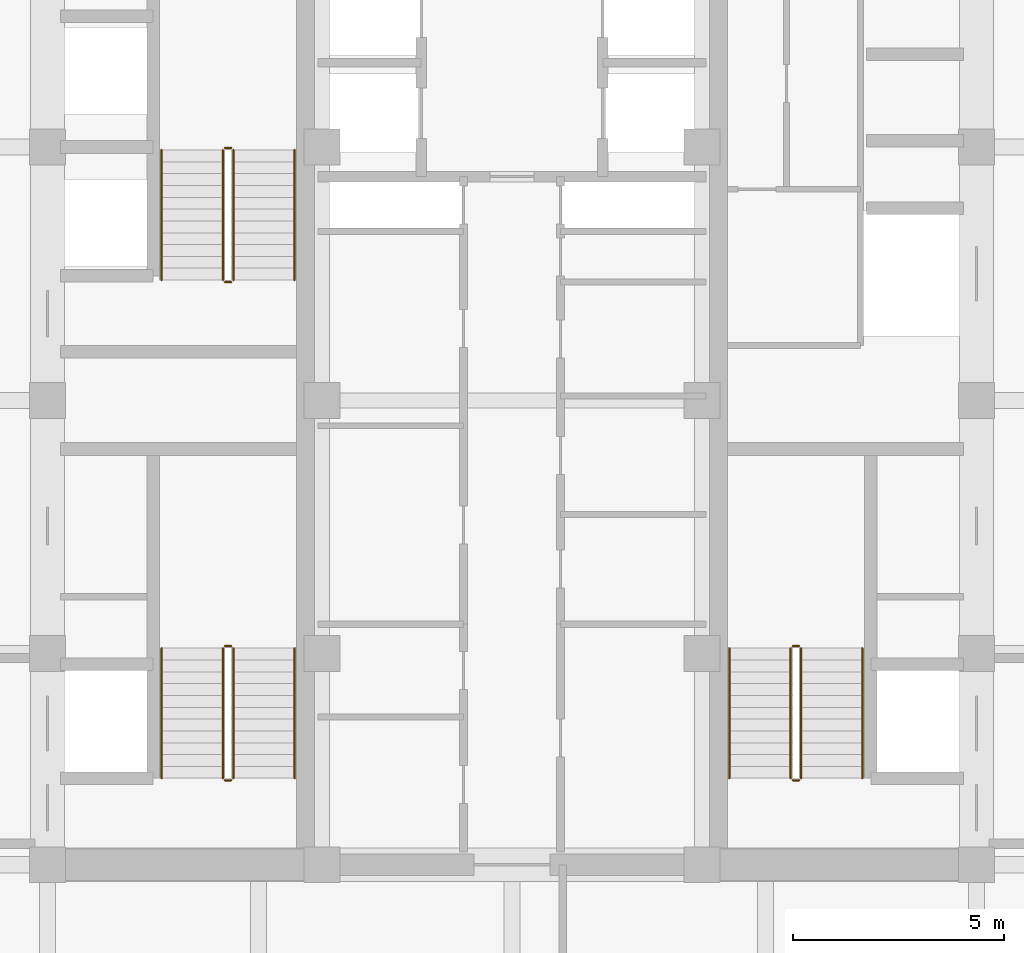
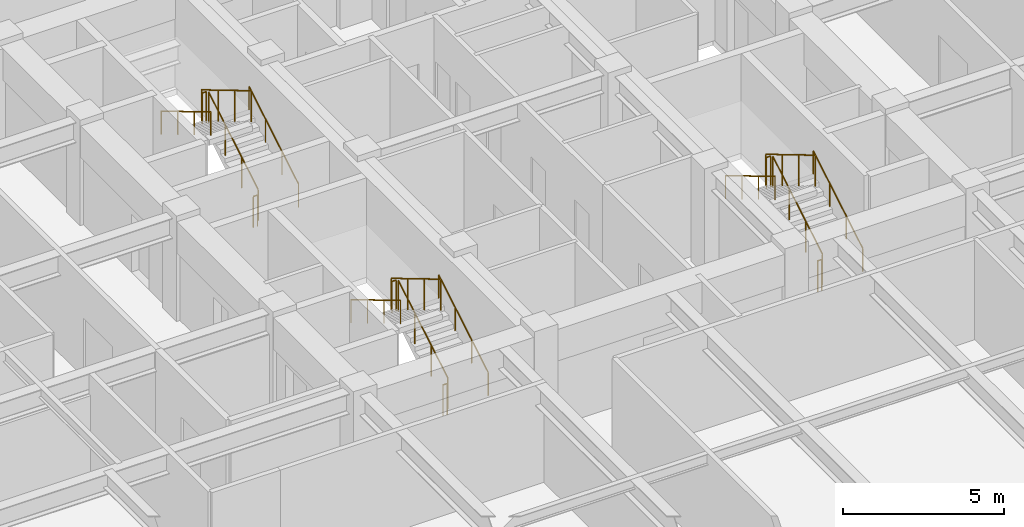
# One storey, part 24 of 24: 18 railings.
"""IFC4 building model written with IfcOpenShell, lengths in metres."""

from ifc_helpers import new_model, si_unit, direction, frame, origin, origin_2d, place, context, subcontext, project, spatial, circle, extrude, source, transform, mapped, material, type_object, element, save


model = new_model("IFC4")

# Units and contexts
model_context = context("Model", 3, precision=1e-05, world=origin(), true_north=direction((0.0, 1.0)))
body_context = subcontext(model_context, "Body", "Model", "MODEL_VIEW")
ifc_project = project(units=[si_unit("LENGTHUNIT", "METRE"), si_unit("AREAUNIT", "SQUARE_METRE"), si_unit("VOLUMEUNIT", "CUBIC_METRE"), si_unit("PLANEANGLEUNIT", "RADIAN"), si_unit("MASSUNIT", "GRAM", prefix="KILO")], contexts=[model_context])

# Site, building, storey
site_placement = place(None, origin())
site = spatial("IfcSite", under=ifc_project, at=site_placement, CompositionType="ELEMENT")
building_placement = place(site_placement, origin())
building = spatial("IfcBuilding", under=site, at=building_placement, Name="Khorayat Bourse Tower", CompositionType="ELEMENT")
storey_placement = place(building_placement, frame((0.0, 0.0, 159.10009765625)))
storey = spatial("IfcBuildingStorey", under=building, at=storey_placement, Name="L36", CompositionType="ELEMENT", Elevation=159.10009765625)

# Railings
ifc_material_1 = material(Name="Powder-coated steel balustrade", Category="steel")
railing_type_1 = type_object("IfcRailingType", Name="RLG-GUARD-1200", PredefinedType="GUARDRAIL", material=ifc_material_1)
shared_shape_1 = source(origin(), body_context, "Body", "SweptSolid", [
    extrude(circle(Radius=0.02392578125, at=origin_2d()), frame((0.0, 0.0, 1.17578125), z_axis=(-1.0, 0.0, 0.0), x_axis=(0.0, -1.0, 0.0)), (0.0, 0.0, 1.0), 0.150146484375),
    extrude(circle(Radius=0.02099609375, at=origin_2d()), origin(), (0.0, 0.0, 1.0), 1.15185546875),
    extrude(circle(Radius=0.02099609375, at=origin_2d()), frame((-0.150146484375, 0.0, 0.0)), (0.0, 0.0, 1.0), 1.15185546875),
])
for number, where, name in (
    (1, (-6.64990234375, -5.820068359375, 2.0), "L36 ST-1 stair guard 2"),
    (2, (-6.64990234375, -9.0, 0.0), "L36 ST-1 stair guard 4"),
    (3, (-6.64990234375, 5.97998046875, 2.0), "L36 ST-2 stair guard 2"),
    (4, (-6.64990234375, 2.800048828125, 0.0), "L36 ST-2 stair guard 4"),
    (5, (6.800048828125, -5.820068359375, 2.0), "L36 ST-3 stair guard 2"),
    (6, (6.800048828125, -9.0, 0.0), "L36 ST-3 stair guard 4"),
):
    element("IfcRailing", number, at=place(storey_placement, frame(where)), inside=storey, type_object=railing_type_1, Name=name, PredefinedType="GUARDRAIL", context=body_context, shape_type="MappedRepresentation", body=[
        mapped(shared_shape_1, transform((0.0, 0.0, 0.0), scale=1.0)),
    ])
shared_shape_2 = source(origin(), body_context, "Body", "SweptSolid", [
    extrude(circle(Radius=0.02392578125, at=origin_2d()), frame((0.0, 0.0, 1.17578125), z_axis=(0.0, 0.859260807169, 0.511537745687), x_axis=(-1.0, 0.0, 0.0)), (0.0, 0.0, 1.0), 3.584228515625),
    extrude(circle(Radius=0.02099609375, at=origin_2d()), origin(), (0.0, 0.0, 1.0), 1.15185546875),
    extrude(circle(Radius=0.02099609375, at=origin_2d()), frame((0.0, 1.026611328125, 0.611083984375)), (0.0, 0.0, 1.0), 1.15185546875),
    extrude(circle(Radius=0.02099609375, at=origin_2d()), frame((0.0, 2.05322265625, 1.222412109375)), (0.0, 0.0, 1.0), 1.15185546875),
    extrude(circle(Radius=0.02099609375, at=origin_2d()), frame((0.0, 3.079833984375, 1.83349609375)), (0.0, 0.0, 1.0), 1.15185546875),
])
for number, where, name in (
    (7, (-6.60009765625, -8.949951171875, 0.16650390625), "L36 ST-1 stair guard 1"),
    (8, (-6.60009765625, 2.85009765625, 0.16650390625), "L36 ST-2 stair guard 1"),
    (9, (6.85009765625, -8.949951171875, 0.16650390625), "L36 ST-3 stair guard 1"),
):
    element("IfcRailing", number, at=place(storey_placement, frame(where)), inside=storey, type_object=railing_type_1, Name=name, PredefinedType="GUARDRAIL", context=body_context, shape_type="MappedRepresentation", body=[
        mapped(shared_shape_2, transform((0.0, 0.0, 0.0), scale=1.0)),
    ])
shared_shape_3 = source(origin(), body_context, "Body", "SweptSolid", [
    extrude(circle(Radius=0.02392578125, at=origin_2d()), frame((0.0, 0.0, 1.17578125), z_axis=(0.0, -0.859260807169, 0.511537745687), x_axis=(1.0, 0.0, 0.0)), (0.0, 0.0, 1.0), 3.584228515625),
    extrude(circle(Radius=0.02099609375, at=origin_2d()), origin(), (0.0, 0.0, 1.0), 1.15185546875),
    extrude(circle(Radius=0.02099609375, at=origin_2d()), frame((0.0, -1.026611328125, 0.611083984375)), (0.0, 0.0, 1.0), 1.15185546875),
    extrude(circle(Radius=0.02099609375, at=origin_2d()), frame((0.0, -2.05322265625, 1.222412109375)), (0.0, 0.0, 1.0), 1.15185546875),
    extrude(circle(Radius=0.02099609375, at=origin_2d()), frame((0.0, -3.079833984375, 1.83349609375)), (0.0, 0.0, 1.0), 1.15185546875),
])
for number, where, name in (
    (10, (-6.85009765625, -5.8701171875, 2.16650390625), "L36 ST-1 stair guard 3"),
    (11, (-6.85009765625, 5.929931640625, 2.16650390625), "L36 ST-2 stair guard 3"),
    (12, (6.60009765625, -5.8701171875, 2.16650390625), "L36 ST-3 stair guard 3"),
):
    element("IfcRailing", number, at=place(storey_placement, frame(where)), inside=storey, type_object=railing_type_1, Name=name, PredefinedType="GUARDRAIL", context=body_context, shape_type="MappedRepresentation", body=[
        mapped(shared_shape_3, transform((0.0, 0.0, 0.0), scale=1.0)),
    ])
ifc_material_2 = material(Name="Brushed bronze stainless-steel handrail", Category="steel")
railing_type_2 = type_object("IfcRailingType", Name="RLG-HAND-900", PredefinedType="HANDRAIL", material=ifc_material_2)
shared_shape_4 = source(origin(), body_context, "Body", "SweptSolid", [
    extrude(circle(Radius=0.02392578125, at=origin_2d()), frame((0.0, 0.0, 0.8759765625), z_axis=(0.0, 0.859260807169, 0.511537745687), x_axis=(-1.0, 0.0, 0.0)), (0.0, 0.0, 1.0), 3.584228515625),
    extrude(circle(Radius=0.02099609375, at=origin_2d()), origin(), (0.0, 0.0, 1.0), 0.851806640625),
    extrude(circle(Radius=0.02099609375, at=origin_2d()), frame((0.0, 1.026611328125, 0.611083984375)), (0.0, 0.0, 1.0), 0.851806640625),
    extrude(circle(Radius=0.02099609375, at=origin_2d()), frame((0.0, 2.05322265625, 1.222412109375)), (0.0, 0.0, 1.0), 0.851806640625),
    extrude(circle(Radius=0.02099609375, at=origin_2d()), frame((0.0, 3.079833984375, 1.83349609375)), (0.0, 0.0, 1.0), 0.851806640625),
])
for number, where, name in (
    (13, (-5.14990234375, -8.949951171875, 0.16650390625), "L36 ST-1 stair handrail 1"),
    (14, (-5.14990234375, 2.85009765625, 0.16650390625), "L36 ST-2 stair handrail 1"),
    (15, (8.300048828125, -8.949951171875, 0.16650390625), "L36 ST-3 stair handrail 1"),
):
    element("IfcRailing", number, at=place(storey_placement, frame(where)), inside=storey, type_object=railing_type_2, Name=name, PredefinedType="HANDRAIL", context=body_context, shape_type="MappedRepresentation", body=[
        mapped(shared_shape_4, transform((0.0, 0.0, 0.0), scale=1.0)),
    ])
shared_shape_5 = source(origin(), body_context, "Body", "SweptSolid", [
    extrude(circle(Radius=0.02392578125, at=origin_2d()), frame((0.0, 0.0, 0.8759765625), z_axis=(0.0, -0.859260807169, 0.511537745687), x_axis=(1.0, 0.0, 0.0)), (0.0, 0.0, 1.0), 3.584228515625),
    extrude(circle(Radius=0.02099609375, at=origin_2d()), origin(), (0.0, 0.0, 1.0), 0.851806640625),
    extrude(circle(Radius=0.02099609375, at=origin_2d()), frame((0.0, -1.026611328125, 0.611083984375)), (0.0, 0.0, 1.0), 0.851806640625),
    extrude(circle(Radius=0.02099609375, at=origin_2d()), frame((0.0, -2.05322265625, 1.222412109375)), (0.0, 0.0, 1.0), 0.851806640625),
    extrude(circle(Radius=0.02099609375, at=origin_2d()), frame((0.0, -3.079833984375, 1.83349609375)), (0.0, 0.0, 1.0), 0.851806640625),
])
for number, where, name in (
    (16, (-8.300048828125, -5.8701171875, 2.16650390625), "L36 ST-1 stair handrail 2"),
    (17, (-8.300048828125, 5.929931640625, 2.16650390625), "L36 ST-2 stair handrail 2"),
    (18, (5.14990234375, -5.8701171875, 2.16650390625), "L36 ST-3 stair handrail 2"),
):
    element("IfcRailing", number, at=place(storey_placement, frame(where)), inside=storey, type_object=railing_type_2, Name=name, PredefinedType="HANDRAIL", context=body_context, shape_type="MappedRepresentation", body=[
        mapped(shared_shape_5, transform((0.0, 0.0, 0.0), scale=1.0)),
    ])

save(model, "model.ifc")
